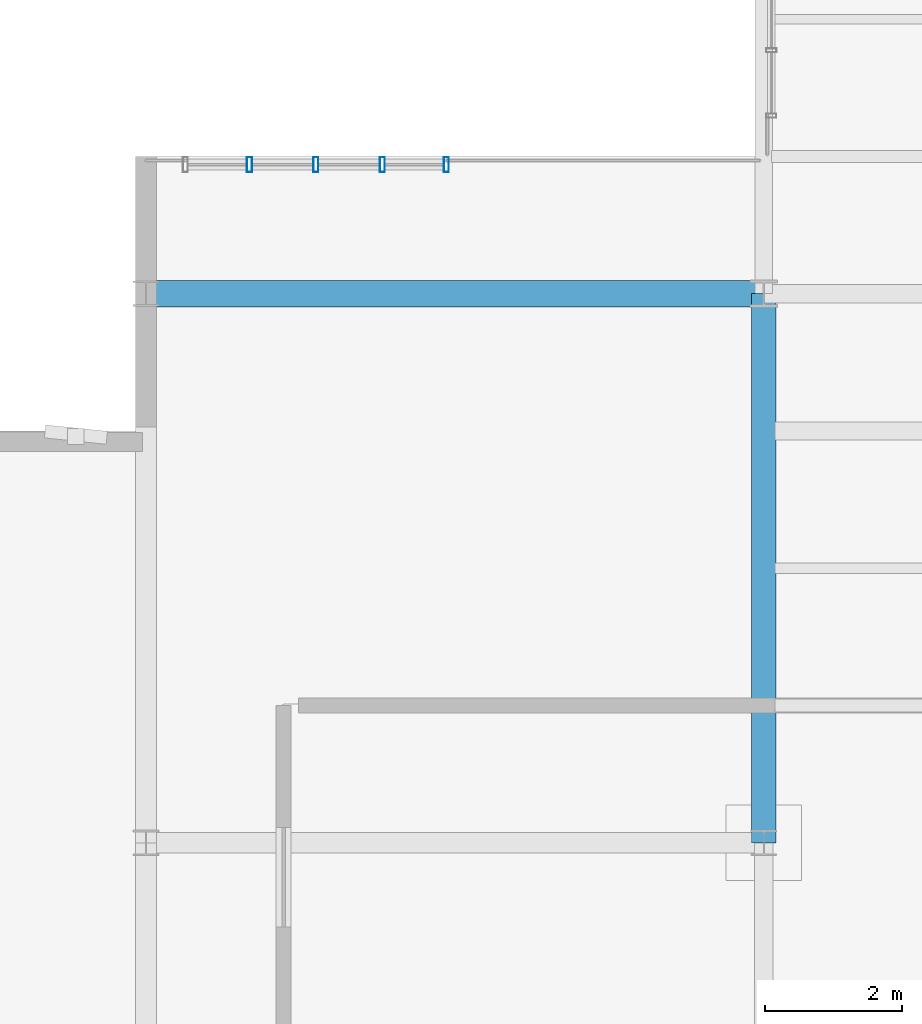
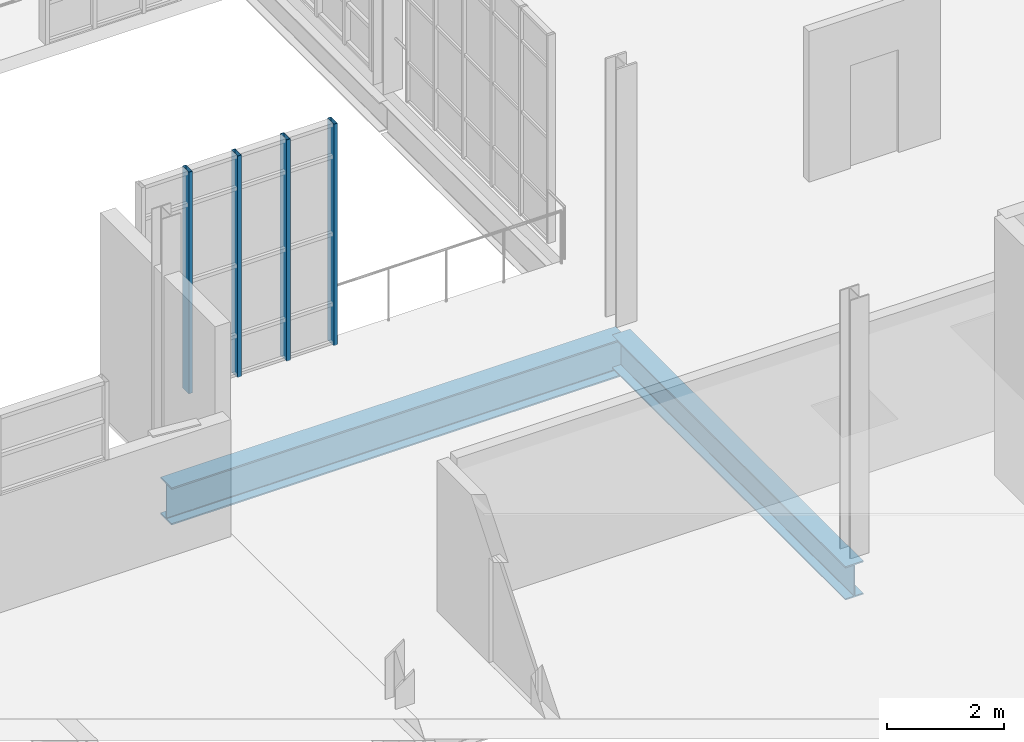
# One storey, part 38 of 142: 4 members, 2 beams, 1 element without a shape of its own.
"""IFC4 building model written with IfcOpenShell, lengths in metres."""

from ifc_helpers import new_model, si_unit, direction, frame, origin, origin_2d, place, context, subcontext, project, spatial, hollow_rectangle, i_section, extrude, material, layer, layer_set, material_profile, profile_set, type_object, element, aggregate, save


model = new_model("IFC4")

# Units and contexts
model_context = context("Model", 3, precision=1e-05, world=origin(), true_north=direction((0.0, 1.0)))
body_context = subcontext(model_context, "Body", "Model", "MODEL_VIEW")
ifc_project = project(units=[si_unit("LENGTHUNIT", "METRE"), si_unit("AREAUNIT", "SQUARE_METRE"), si_unit("VOLUMEUNIT", "CUBIC_METRE"), si_unit("PLANEANGLEUNIT", "RADIAN"), si_unit("MASSUNIT", "GRAM", prefix="KILO"), si_unit("THERMODYNAMICTEMPERATUREUNIT", "KELVIN"), si_unit("POWERUNIT", "WATT")], contexts=[model_context])

# Site, building, storey
site_placement = place(None, origin())
site = spatial("IfcSite", under=ifc_project, at=site_placement, CompositionType="ELEMENT")
building_placement = place(site_placement, origin())
building = spatial("IfcBuilding", under=site, at=building_placement, Name="Zelmaris Science Centre", CompositionType="ELEMENT")
storey_placement = place(building_placement, frame((0.0, 0.0, 5.39990234375)))
storey = spatial("IfcBuildingStorey", under=building, at=storey_placement, Name="L01", CompositionType="ELEMENT", Elevation=5.39990234375)

# Curtain wall, members
ifc_material_1 = material(Name="Anodised architectural aluminium 6063-T6", Category="aluminium")
ifc_layer = layer(ifc_material_1, 0.199951171875, Name="Anodised architectural aluminium 6063-T6")
ifc_layer_set = layer_set([ifc_layer], Name="Anodised architectural aluminium 6063-T6")
curtain_wall_type = type_object("IfcCurtainWallType", Name="Curtain Wall CW-02", PredefinedType="USERDEFINED", material=ifc_layer_set)
curtain_wall_placement = place(storey_placement, origin())
curtain_wall = element("IfcCurtainWall", 1, at=curtain_wall_placement, inside=storey, type_object=curtain_wall_type, Name="L01 Unitised curtain wall 178", ObjectType="GLAZED CURTAIN WALL", PredefinedType="USERDEFINED")
ifc_material_profile_1 = material_profile(ifc_material_1, hollow_rectangle(XDim=0.074951171875, YDim=0.219970703125, WallThickness=0.0048828125, at=origin_2d()), Name="ALU-MUL-75X220")
ifc_profile_set_1 = profile_set([ifc_material_profile_1], Name="Anodised architectural aluminium 6063-T6")
member_type = type_object("IfcMemberType", Name="ALU-MUL-75X220", PredefinedType="MULLION", material=ifc_profile_set_1)
member_1_placement = place(storey_placement, frame((109.507568359375, 33.8798828125, -0.014892578125), z_axis=(0.0, 0.0, 1.0), x_axis=(0.999999999976, 6.981317e-06, 0.0)))
member_1 = element("IfcMember", 2, at=member_1_placement, type_object=member_type, Name="CW-02 mullion 2", PredefinedType="MULLION", context=body_context, shape_type="SweptSolid", body=[
    extrude(hollow_rectangle(XDim=0.074951171875, YDim=0.219970703125, WallThickness=0.0048828125, at=origin_2d()), origin(), (0.0, 0.0, 1.0), 4.635009765625),
])
member_2_placement = place(storey_placement, frame((110.47509765625, 33.8798828125, -0.014892578125), z_axis=(0.0, 0.0, 1.0), x_axis=(0.999999999976, 6.981317e-06, 0.0)))
member_2 = element("IfcMember", 3, at=member_2_placement, type_object=member_type, Name="CW-02 mullion 3", PredefinedType="MULLION", context=body_context, shape_type="SweptSolid", body=[
    extrude(hollow_rectangle(XDim=0.074951171875, YDim=0.219970703125, WallThickness=0.0048828125, at=origin_2d()), origin(), (0.0, 0.0, 1.0), 4.635009765625),
])
member_3_placement = place(storey_placement, frame((111.442626953125, 33.8798828125, -0.014892578125), z_axis=(0.0, 0.0, 1.0), x_axis=(0.999999999976, 6.981317e-06, 0.0)))
member_3 = element("IfcMember", 4, at=member_3_placement, type_object=member_type, Name="CW-02 mullion 4", PredefinedType="MULLION", context=body_context, shape_type="SweptSolid", body=[
    extrude(hollow_rectangle(XDim=0.074951171875, YDim=0.219970703125, WallThickness=0.0048828125, at=origin_2d()), origin(), (0.0, 0.0, 1.0), 4.635009765625),
])
member_4_placement = place(storey_placement, frame((112.37646484375, 33.8798828125, -0.014892578125), z_axis=(0.0, 0.0, 1.0), x_axis=(0.999999999976, 6.981317e-06, 0.0)))
member_4 = element("IfcMember", 5, at=member_4_placement, type_object=member_type, Name="CW-02 mullion 5", PredefinedType="MULLION", context=body_context, shape_type="SweptSolid", body=[
    extrude(hollow_rectangle(XDim=0.074951171875, YDim=0.219970703125, WallThickness=0.0048828125, at=origin_2d()), origin(), (0.0, 0.0, 1.0), 4.635009765625),
])
aggregate(curtain_wall, [member_1, member_2, member_3, member_4])

# Beams
ifc_material_2 = material(Name="Steel ASTM A992 Grade 50", Category="steel")
ifc_material_profile_2 = material_profile(ifc_material_2, i_section(OverallWidth=0.381103515625, OverallDepth=0.777099609375, WebThickness=0.01806640625, FlangeThickness=0.030029296875, FilletRadius=0.01904296875, at=origin_2d()), Name="W30X191")
ifc_profile_set_2 = profile_set([ifc_material_profile_2], Name="Steel ASTM A992 Grade 50")
beam_type_1 = type_object("IfcBeamType", Name="Beam G-31 W30X191", PredefinedType="BEAM", material=ifc_profile_set_2)
beam_1_placement = place(storey_placement, frame((108.0, 32.0, -0.66845703125), z_axis=(1.0, 0.0, 0.0), x_axis=(0.0, 1.0, 0.0)))
element("IfcBeam", 6, at=beam_1_placement, inside=storey, type_object=beam_type_1, Name="L01 East-west girder 361", PredefinedType="BEAM", context=body_context, shape_type="SweptSolid", body=[
    extrude(i_section(OverallWidth=0.381103515625, OverallDepth=0.777099609375, WebThickness=0.01806640625, FlangeThickness=0.030029296875, FilletRadius=0.01904296875, at=origin_2d()), origin(), (0.0, 0.0, 1.0), 9.0),
])
ifc_material_profile_3 = material_profile(ifc_material_2, i_section(OverallWidth=0.35595703125, OverallDepth=0.700927734375, WebThickness=0.016845703125, FlangeThickness=0.02734375, FilletRadius=0.01806640625, at=origin_2d()), Name="W27X161")
ifc_profile_set_3 = profile_set([ifc_material_profile_3], Name="Steel ASTM A992 Grade 50")
beam_type_2 = type_object("IfcBeamType", Name="Beam G-35 W27X161", PredefinedType="BEAM", material=ifc_profile_set_3)
beam_2_placement = place(storey_placement, frame((117.0, 24.0, -0.63037109375), z_axis=(0.0, 1.0, 0.0), x_axis=(-1.0, 0.0, 0.0)))
element("IfcBeam", 7, at=beam_2_placement, inside=storey, type_object=beam_type_2, Name="L01 North-south girder 303", PredefinedType="BEAM", context=body_context, shape_type="SweptSolid", body=[
    extrude(i_section(OverallWidth=0.35595703125, OverallDepth=0.700927734375, WebThickness=0.016845703125, FlangeThickness=0.02734375, FilletRadius=0.01806640625, at=origin_2d()), origin(), (0.0, 0.0, 1.0), 8.0),
])

save(model, "model.ifc")
